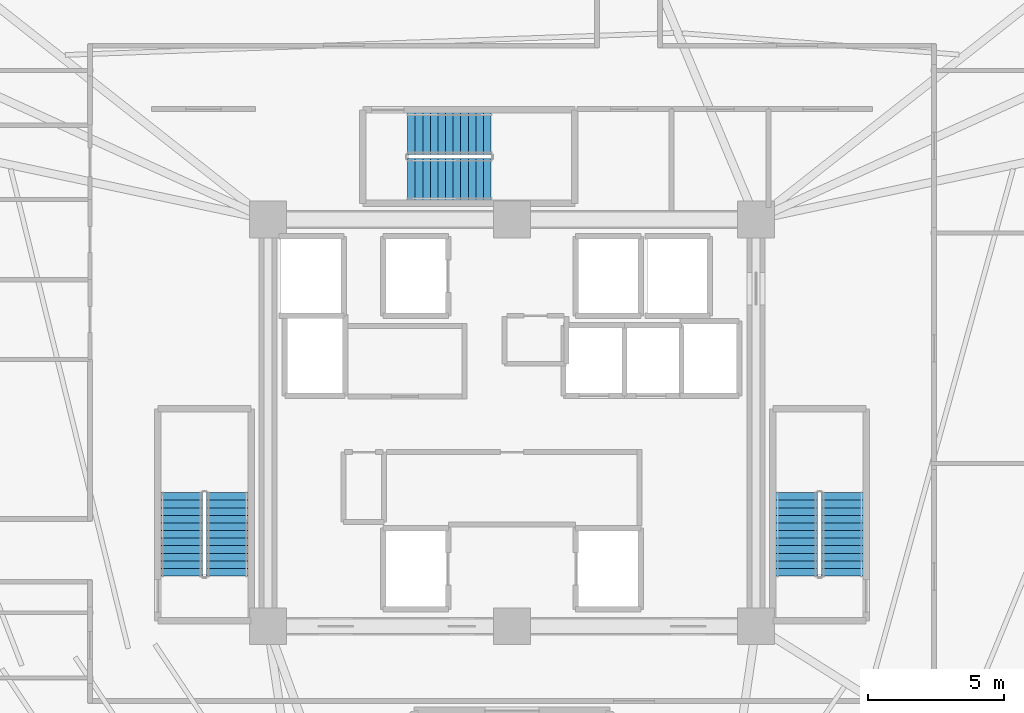
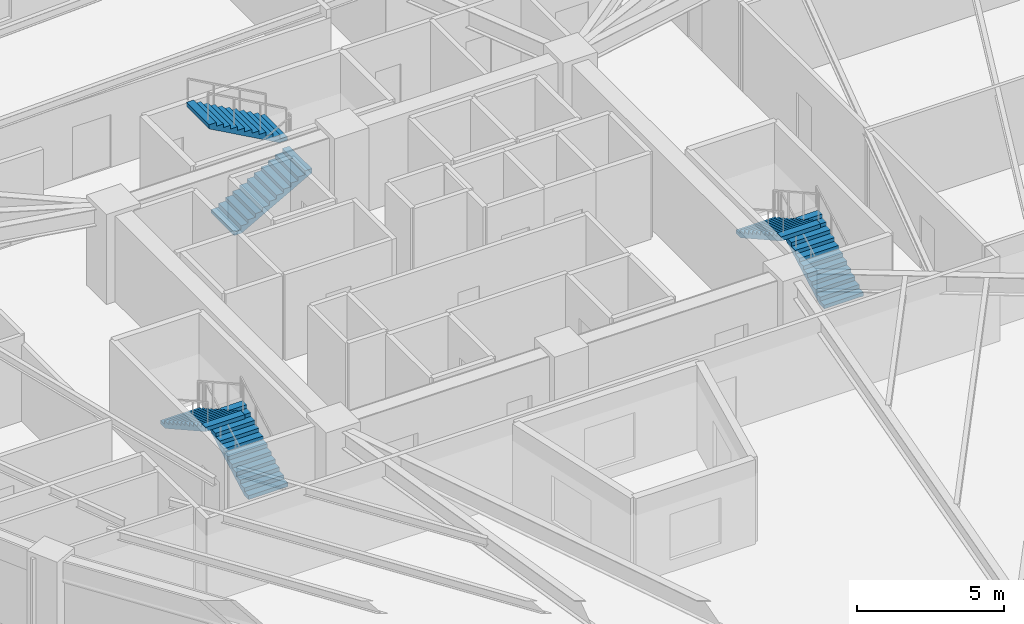
# One storey, part 7 of 9: 6 stair flights, 3 elements without a shape of their own.
"""IFC4 building model written with IfcOpenShell, lengths in metres."""

import ifcopenshell
import ifcopenshell.guid

model = None  # the IFC model being written
_history = None  # IfcOwnerHistory: only IFC2X3 demands one
_inside = {}  # id of a spatial element -> (the spatial element, [elements in it])
_under = {}  # id of a project, library or spatial element -> (it, [spatial elements below it])
_declared = {}  # id of a project -> (the project, [libraries it declares])
_typed = {}  # id of a type object -> (the type object, [elements of that type])
_made_of = {}  # id of a material, layer set ... -> (it, [elements and type objects made of it])


def new_model(schema):
    """Start an empty IFC model of exactly this schema.

    Asked for "IFC4X3", IfcOpenShell would pick the latest addendum, in which some entities
    have other attributes; the version numbers below select the first issue.
    IFC2X3 requires an IfcOwnerHistory on every rooted entity: one is made here for all.
    """
    global model, _history
    if schema == "IFC4X3":
        model = ifcopenshell.file(schema_version=(4, 3, 0, 0))
    else:
        model = ifcopenshell.file(schema=schema)
    _inside.clear()
    _under.clear()
    _declared.clear()
    _typed.clear()
    _made_of.clear()
    _history = None
    if model.schema == "IFC2X3":
        org = make("IfcOrganization", Name="unknown")
        user = make(
            "IfcPersonAndOrganization",
            ThePerson=make("IfcPerson", FamilyName="unknown"),
            TheOrganization=org,
        )
        app = make(
            "IfcApplication",
            ApplicationDeveloper=org,
            Version="unknown",
            ApplicationFullName="unknown",
            ApplicationIdentifier="unknown",
        )
        _history = make(
            "IfcOwnerHistory",
            OwningUser=user,
            OwningApplication=app,
            ChangeAction="ADDED",
            CreationDate=0,
        )
    return model


def make(cls, **values):
    """One entity of the class cls with the attributes given. An attribute that is None is left unset."""
    return model.create_entity(
        cls, **{name: value for name, value in values.items() if value is not None}
    )


def rooted(cls, **values):
    """An entity with a GlobalId (a new one), such as an element, a storey or a relation."""
    return make(cls, GlobalId=ifcopenshell.guid.new(), OwnerHistory=_history, **values)


def si_unit(unit_type, name, prefix=None):
    """IfcSIUnit, for example si_unit("LENGTHUNIT", "METRE", prefix="MILLI")."""
    return make("IfcSIUnit", UnitType=unit_type, Prefix=prefix, Name=name)


def assignment(units):
    """IfcUnitAssignment: the units of a project."""
    return None if units is None else make("IfcUnitAssignment", Units=units)


def point(xyz):
    """IfcCartesianPoint."""
    return None if xyz is None else make("IfcCartesianPoint", Coordinates=xyz)


def direction(xyz):
    """IfcDirection."""
    return None if xyz is None else make("IfcDirection", DirectionRatios=xyz)


def frame(location, z_axis=None, x_axis=None):
    """IfcAxis2Placement3D, a coordinate frame: its origin and axes. An axis left out is left unset."""
    return make(
        "IfcAxis2Placement3D",
        Location=point(location),
        Axis=direction(z_axis),
        RefDirection=direction(x_axis),
    )


def origin():
    """The frame at (0, 0, 0) with its axes left unset."""
    return frame((0.0, 0.0, 0.0))


def place(relative_to, where):
    """IfcLocalPlacement: puts the frame where relative to a parent placement (None: the world)."""
    return make(
        "IfcLocalPlacement", PlacementRelTo=relative_to, RelativePlacement=where
    )


def context(
    kind, dimensions, precision=None, world=None, true_north=None, identifier=None
):
    """IfcGeometricRepresentationContext, for example the 3D "Model" context."""
    return make(
        "IfcGeometricRepresentationContext",
        ContextIdentifier=identifier,
        ContextType=kind,
        CoordinateSpaceDimension=dimensions,
        Precision=precision,
        WorldCoordinateSystem=world,
        TrueNorth=true_north,
    )


def subcontext(parent, identifier, kind, view, scale=None):
    """IfcGeometricRepresentationSubContext, for example "Body" below "Model"."""
    return make(
        "IfcGeometricRepresentationSubContext",
        ContextIdentifier=identifier,
        ContextType=kind,
        ParentContext=parent,
        TargetScale=scale,
        TargetView=view,
    )


def project(units=None, contexts=None):
    """IfcProject with its units and contexts."""
    return rooted(
        "IfcProject",
        Name="project",
        RepresentationContexts=contexts,
        UnitsInContext=assignment(units),
    )


def spatial(cls, under=None, at=None, **own):
    """A site, building, storey or space (cls), placed at a placement, below another one or the project."""
    s = rooted(cls, ObjectPlacement=at, **own)
    if under is not None:
        _under.setdefault(under.id(), (under, []))[1].append(s)
    return s


def polyline(points):
    """IfcPolyline through the points."""
    return make("IfcPolyline", Points=[point(p) for p in points])


def outline(outer, holes=None, kind="AREA"):
    """IfcArbitraryClosedProfileDef: a profile drawn as a closed curve; with holes, ...WithVoids."""
    if holes is None:
        return make("IfcArbitraryClosedProfileDef", ProfileType=kind, OuterCurve=outer)
    return make(
        "IfcArbitraryProfileDefWithVoids",
        ProfileType=kind,
        OuterCurve=outer,
        InnerCurves=holes,
    )


def extrude(swept, where, along, depth):
    """IfcExtrudedAreaSolid: the profile swept, set in the frame where, extruded along a direction by depth."""
    return make(
        "IfcExtrudedAreaSolid",
        SweptArea=swept,
        Position=where,
        ExtrudedDirection=direction(along),
        Depth=depth,
    )


def shape(context_of_items, identifier, shape_type, items):
    """IfcShapeRepresentation: the items that make up one representation, for example the "Body"."""
    return make(
        "IfcShapeRepresentation",
        ContextOfItems=context_of_items,
        RepresentationIdentifier=identifier,
        RepresentationType=shape_type,
        Items=items,
    )


def material(Name=None, Category=None):
    """IfcMaterial."""
    return make("IfcMaterial", Name=Name, Category=Category)


def made_of(thing, what):
    """Note that an element or type object is made of a material, layer set ...; save() writes the relation."""
    if what is not None:
        _made_of.setdefault(what.id(), (what, []))[1].append(thing)
    return thing


def type_object(cls, material=None, **own):
    """A type object (cls), such as IfcWallType, which elements share."""
    return made_of(rooted(cls, **own), material)


def element(
    cls,
    number,
    at=None,
    inside=None,
    cuts=None,
    type_object=None,
    material=None,
    context=None,
    identifier="Body",
    shape_type=None,
    held_by="IfcProductDefinitionShape",
    body=None,
    shapes=None,
    **own,
):
    """One element of the class cls, such as IfcWall. Its Tag is "e" and its number.

    at: its placement. inside: the storey or other place that contains it. cuts: it is an
    opening in that element (IfcRelVoidsElement). A single representation is given by context,
    identifier, shape_type and body (its items); several are given by shapes. held_by: the class
    of the entity that holds the representations. save() writes the other relations.
    """
    e = rooted(cls, Tag="e%d" % number, ObjectPlacement=at, **own)
    if body is not None:
        shapes = [shape(context, identifier, shape_type, body)]
    if shapes is not None:
        e.Representation = make(held_by, Representations=shapes)
    if inside is not None:
        _inside.setdefault(inside.id(), (inside, []))[1].append(e)
    if cuts is not None:
        rooted(
            "IfcRelVoidsElement", RelatingBuildingElement=cuts, RelatedOpeningElement=e
        )
    if type_object is not None:
        _typed.setdefault(type_object.id(), (type_object, []))[1].append(e)
    return made_of(e, material)


def aggregate(whole, parts):
    """IfcRelAggregates: a whole, such as a stair, and the parts it consists of."""
    return rooted("IfcRelAggregates", RelatingObject=whole, RelatedObjects=parts)


def save(model, path):
    """Write the relations noted so far, then the file.

    IfcRelAggregates (storeys below a building ...), IfcRelContainedInSpatialStructure (elements
    in a storey), IfcRelDefinesByType, IfcRelAssociatesMaterial and IfcRelDeclares: one each for
    every whole, place, type object, material and project.
    """
    for whole, parts in _under.values():
        aggregate(whole, parts)
    for where, things in _inside.values():
        rooted(
            "IfcRelContainedInSpatialStructure",
            RelatedElements=things,
            RelatingStructure=where,
        )
    for kind, things in _typed.values():
        rooted("IfcRelDefinesByType", RelatedObjects=things, RelatingType=kind)
    for what, things in _made_of.values():
        rooted("IfcRelAssociatesMaterial", RelatedObjects=things, RelatingMaterial=what)
    for by, libraries in _declared.values():
        rooted("IfcRelDeclares", RelatingContext=by, RelatedDefinitions=libraries)
    model.write(path)


model = new_model("IFC4")

# Units and contexts
model_context = context("Model", 3, precision=1e-05, world=origin(), true_north=direction((0.0, 1.0)))
body_context = subcontext(model_context, "Body", "Model", "MODEL_VIEW")
ifc_project = project(units=[si_unit("LENGTHUNIT", "METRE"), si_unit("AREAUNIT", "SQUARE_METRE"), si_unit("VOLUMEUNIT", "CUBIC_METRE"), si_unit("PLANEANGLEUNIT", "RADIAN"), si_unit("MASSUNIT", "GRAM", prefix="KILO")], contexts=[model_context])

# Site, building, storey
site_placement = place(None, origin())
site = spatial("IfcSite", under=ifc_project, at=site_placement, CompositionType="ELEMENT")
building_placement = place(site_placement, origin())
building = spatial("IfcBuilding", under=site, at=building_placement, Name="Liaohun Quay Tower", CompositionType="ELEMENT")
storey_placement = place(building_placement, frame((0.0, 0.0, 258.75)))
storey = spatial("IfcBuildingStorey", under=building, at=storey_placement, Name="L67", CompositionType="ELEMENT", Elevation=258.75)

# Stair, stair flights
ifc_material = material(Name="Concrete C45", Category="concrete")
stair_type = type_object("IfcStairType", Name="STR-CORE-OFF", PredefinedType="HALF_TURN_STAIR", material=ifc_material)
stair_1_placement = place(storey_placement, origin())
stair_1 = element("IfcStair", 1, at=stair_1_placement, inside=storey, type_object=stair_type, Name="L67 Smokeproof Core Exit Stair ST-1", PredefinedType="HALF_TURN_STAIR")
stair_flight_type = type_object("IfcStairFlightType", Name="FLT-CORE-155", PredefinedType="STRAIGHT", material=ifc_material)
stair_flight_1_placement = place(storey_placement, frame((49.5048828125, 48.35009765625, 0.0), z_axis=(0.0, 0.0, 1.0), x_axis=(0.0, 1.0, 0.0)))
stair_flight_1 = element("IfcStairFlight", 2, at=stair_flight_1_placement, type_object=stair_flight_type, Name="ST-1 flight 1", NumberOfRisers=12, NumberOfTreads=11, PredefinedType="STRAIGHT", RiserHeight=0.15625, TreadLength=0.28, context=body_context, shape_type="SweptSolid", body=[
    extrude(outline(polyline([(0.0, 0.0), (0.0, 0.15625), (0.280029296875, 0.15625), (0.280029296875, 0.3125), (0.56005859375, 0.3125), (0.56005859375, 0.46875), (0.840087890625, 0.46875), (0.840087890625, 0.625), (1.1201171875, 0.625), (1.1201171875, 0.78125), (1.39990234375, 0.78125), (1.39990234375, 0.9375), (1.679931640625, 0.9375), (1.679931640625, 1.09375), (1.9599609375, 1.09375), (1.9599609375, 1.25), (2.239990234375, 1.25), (2.239990234375, 1.40625), (2.52001953125, 1.40625), (2.52001953125, 1.5625), (2.800048828125, 1.5625), (2.800048828125, 1.71875), (3.080078125, 1.71875), (3.080078125, 1.875), (3.080078125, 1.547119140625), (0.3076171875, 0.0), (0.0, 0.0)])), frame((0.0, 0.77490234375, 0.0), z_axis=(0.0, -1.0, 0.0), x_axis=(1.0, 0.0, 0.0)), (0.0, 0.0, 1.0), 1.550048828125),
])
stair_flight_2_placement = place(storey_placement, frame((47.81494140625, 51.429931640625, 1.875), z_axis=(0.0, 0.0, 1.0), x_axis=(0.0, -1.0, 0.0)))
stair_flight_2 = element("IfcStairFlight", 3, at=stair_flight_2_placement, type_object=stair_flight_type, Name="ST-1 flight 2", NumberOfRisers=12, NumberOfTreads=11, PredefinedType="STRAIGHT", RiserHeight=0.15625, TreadLength=0.28, context=body_context, shape_type="SweptSolid", body=[
    extrude(outline(polyline([(0.0, 0.0), (0.0, 0.15625), (0.280029296875, 0.15625), (0.280029296875, 0.3125), (0.56005859375, 0.3125), (0.56005859375, 0.46875), (0.840087890625, 0.46875), (0.840087890625, 0.625), (1.1201171875, 0.625), (1.1201171875, 0.78125), (1.39990234375, 0.78125), (1.39990234375, 0.9375), (1.679931640625, 0.9375), (1.679931640625, 1.09375), (1.9599609375, 1.09375), (1.9599609375, 1.25), (2.239990234375, 1.25), (2.239990234375, 1.40625), (2.52001953125, 1.40625), (2.52001953125, 1.5625), (2.800048828125, 1.5625), (2.800048828125, 1.71875), (3.080078125, 1.71875), (3.080078125, 1.875), (3.080078125, 1.547119140625), (0.3076171875, 0.0), (0.0, 0.0)])), frame((0.0, 0.77490234375, 0.0), z_axis=(0.0, -1.0, 0.0), x_axis=(1.0, 0.0, 0.0)), (0.0, 0.0, 1.0), 1.550048828125),
])
aggregate(stair_1, [stair_flight_1, stair_flight_2])

stair_2_placement = place(storey_placement, origin())
stair_2 = element("IfcStair", 4, at=stair_2_placement, inside=storey, type_object=stair_type, Name="L67 Smokeproof Core Exit Stair ST-2", PredefinedType="HALF_TURN_STAIR")
stair_flight_3_placement = place(storey_placement, frame((72.18505859375, 48.35009765625, 0.0), z_axis=(0.0, 0.0, 1.0), x_axis=(0.0, 1.0, 0.0)))
stair_flight_3 = element("IfcStairFlight", 5, at=stair_flight_3_placement, type_object=stair_flight_type, Name="ST-2 flight 1", NumberOfRisers=12, NumberOfTreads=11, PredefinedType="STRAIGHT", RiserHeight=0.15625, TreadLength=0.28, context=body_context, shape_type="SweptSolid", body=[
    extrude(outline(polyline([(0.0, 0.0), (0.0, 0.15625), (0.280029296875, 0.15625), (0.280029296875, 0.3125), (0.56005859375, 0.3125), (0.56005859375, 0.46875), (0.840087890625, 0.46875), (0.840087890625, 0.625), (1.1201171875, 0.625), (1.1201171875, 0.78125), (1.39990234375, 0.78125), (1.39990234375, 0.9375), (1.679931640625, 0.9375), (1.679931640625, 1.09375), (1.9599609375, 1.09375), (1.9599609375, 1.25), (2.239990234375, 1.25), (2.239990234375, 1.40625), (2.52001953125, 1.40625), (2.52001953125, 1.5625), (2.800048828125, 1.5625), (2.800048828125, 1.71875), (3.080078125, 1.71875), (3.080078125, 1.875), (3.080078125, 1.547119140625), (0.3076171875, 0.0), (0.0, 0.0)])), frame((0.0, 0.77490234375, 0.0), z_axis=(0.0, -1.0, 0.0), x_axis=(1.0, 0.0, 0.0)), (0.0, 0.0, 1.0), 1.550048828125),
])
stair_flight_4_placement = place(storey_placement, frame((70.4951171875, 51.429931640625, 1.875), z_axis=(0.0, 0.0, 1.0), x_axis=(0.0, -1.0, 0.0)))
stair_flight_4 = element("IfcStairFlight", 6, at=stair_flight_4_placement, type_object=stair_flight_type, Name="ST-2 flight 2", NumberOfRisers=12, NumberOfTreads=11, PredefinedType="STRAIGHT", RiserHeight=0.15625, TreadLength=0.28, context=body_context, shape_type="SweptSolid", body=[
    extrude(outline(polyline([(0.0, 0.0), (0.0, 0.15625), (0.280029296875, 0.15625), (0.280029296875, 0.3125), (0.56005859375, 0.3125), (0.56005859375, 0.46875), (0.840087890625, 0.46875), (0.840087890625, 0.625), (1.1201171875, 0.625), (1.1201171875, 0.78125), (1.39990234375, 0.78125), (1.39990234375, 0.9375), (1.679931640625, 0.9375), (1.679931640625, 1.09375), (1.9599609375, 1.09375), (1.9599609375, 1.25), (2.239990234375, 1.25), (2.239990234375, 1.40625), (2.52001953125, 1.40625), (2.52001953125, 1.5625), (2.800048828125, 1.5625), (2.800048828125, 1.71875), (3.080078125, 1.71875), (3.080078125, 1.875), (3.080078125, 1.547119140625), (0.3076171875, 0.0), (0.0, 0.0)])), frame((0.0, 0.77490234375, 0.0), z_axis=(0.0, -1.0, 0.0), x_axis=(1.0, 0.0, 0.0)), (0.0, 0.0, 1.0), 1.550048828125),
])
aggregate(stair_2, [stair_flight_3, stair_flight_4])

stair_3_placement = place(storey_placement, origin())
stair_3 = element("IfcStair", 7, at=stair_3_placement, inside=storey, type_object=stair_type, Name="L67 Smokeproof Core Exit Stair ST-3", PredefinedType="HALF_TURN_STAIR")
stair_flight_5_placement = place(storey_placement, frame((56.14990234375, 62.97509765625, 0.0), z_axis=(0.0, 0.0, 1.0), x_axis=(1.0, 0.0, 0.0)))
stair_flight_5 = element("IfcStairFlight", 8, at=stair_flight_5_placement, type_object=stair_flight_type, Name="ST-3 flight 1", NumberOfRisers=12, NumberOfTreads=11, PredefinedType="STRAIGHT", RiserHeight=0.15625, TreadLength=0.28, context=body_context, shape_type="SweptSolid", body=[
    extrude(outline(polyline([(0.0, 0.0), (0.0, 0.15625), (0.280029296875, 0.15625), (0.280029296875, 0.3125), (0.56005859375, 0.3125), (0.56005859375, 0.46875), (0.840087890625, 0.46875), (0.840087890625, 0.625), (1.1201171875, 0.625), (1.1201171875, 0.78125), (1.39990234375, 0.78125), (1.39990234375, 0.9375), (1.679931640625, 0.9375), (1.679931640625, 1.09375), (1.9599609375, 1.09375), (1.9599609375, 1.25), (2.239990234375, 1.25), (2.239990234375, 1.40625), (2.52001953125, 1.40625), (2.52001953125, 1.5625), (2.800048828125, 1.5625), (2.800048828125, 1.71875), (3.080078125, 1.71875), (3.080078125, 1.875), (3.080078125, 1.547119140625), (0.3076171875, 0.0), (0.0, 0.0)])), frame((0.0, 0.77490234375, 0.0), z_axis=(0.0, -1.0, 0.0), x_axis=(1.0, 0.0, 0.0)), (0.0, 0.0, 1.0), 1.550048828125),
])
stair_flight_6_placement = place(storey_placement, frame((59.22998046875, 64.6650390625, 1.875), z_axis=(0.0, 0.0, 1.0), x_axis=(-1.0, 0.0, 0.0)))
stair_flight_6 = element("IfcStairFlight", 9, at=stair_flight_6_placement, type_object=stair_flight_type, Name="ST-3 flight 2", NumberOfRisers=12, NumberOfTreads=11, PredefinedType="STRAIGHT", RiserHeight=0.15625, TreadLength=0.28, context=body_context, shape_type="SweptSolid", body=[
    extrude(outline(polyline([(0.0, 0.0), (0.0, 0.15625), (0.280029296875, 0.15625), (0.280029296875, 0.3125), (0.56005859375, 0.3125), (0.56005859375, 0.46875), (0.840087890625, 0.46875), (0.840087890625, 0.625), (1.1201171875, 0.625), (1.1201171875, 0.78125), (1.39990234375, 0.78125), (1.39990234375, 0.9375), (1.679931640625, 0.9375), (1.679931640625, 1.09375), (1.9599609375, 1.09375), (1.9599609375, 1.25), (2.239990234375, 1.25), (2.239990234375, 1.40625), (2.52001953125, 1.40625), (2.52001953125, 1.5625), (2.800048828125, 1.5625), (2.800048828125, 1.71875), (3.080078125, 1.71875), (3.080078125, 1.875), (3.080078125, 1.547119140625), (0.3076171875, 0.0), (0.0, 0.0)])), frame((0.0, 0.77490234375, 0.0), z_axis=(0.0, -1.0, 0.0), x_axis=(1.0, 0.0, 0.0)), (0.0, 0.0, 1.0), 1.550048828125),
])
aggregate(stair_3, [stair_flight_5, stair_flight_6])

save(model, "model.ifc")
